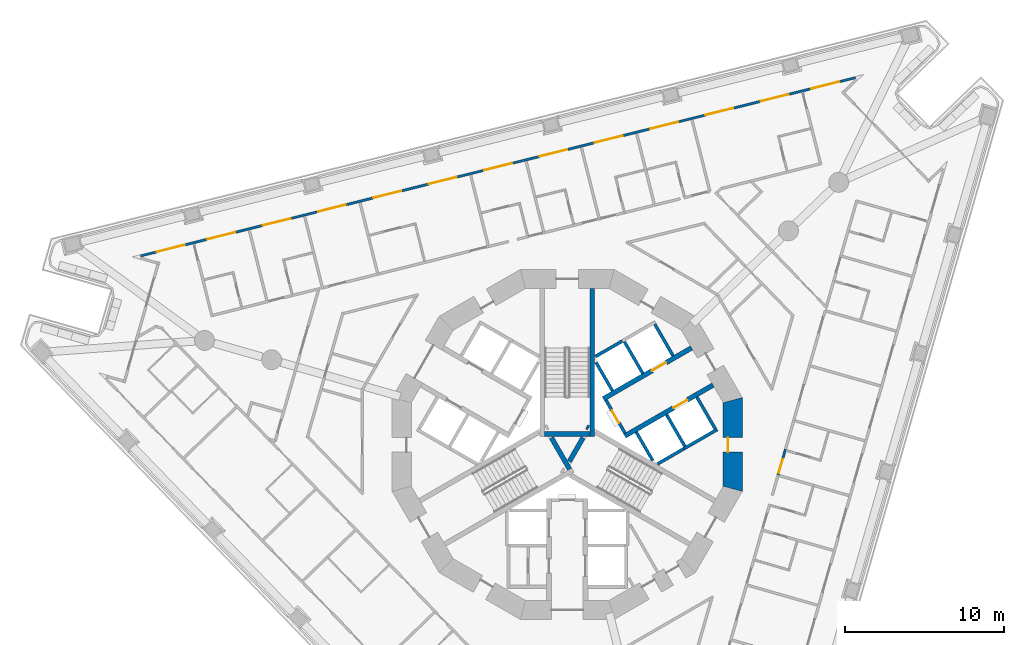
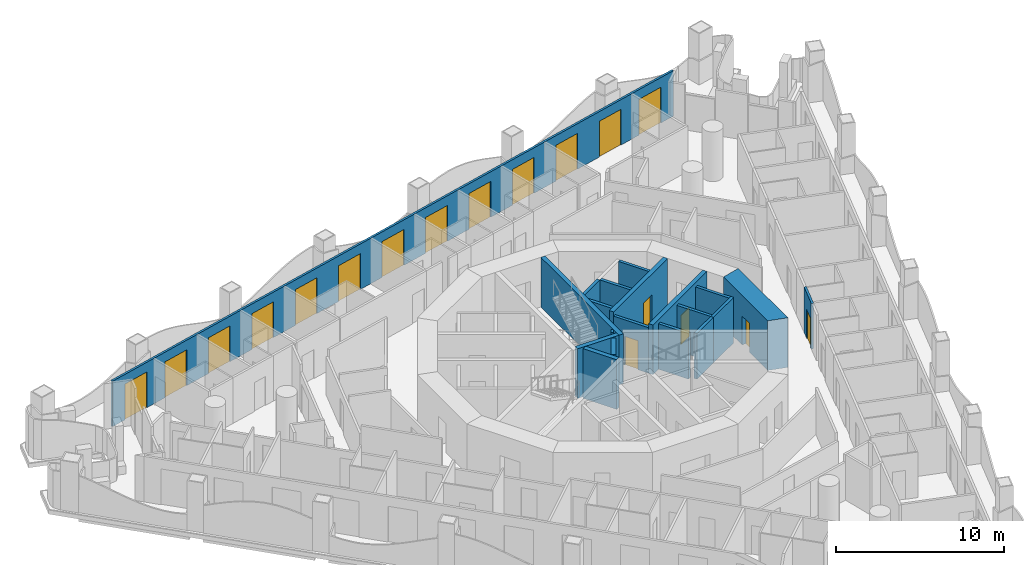
# One storey, part 9 of 20: 20 walls, 18 doors, 18 openings.
"""IFC4 building model written with IfcOpenShell, lengths in metres."""

from ifc_helpers import new_model, si_unit, direction, frame, frame_2d, origin, place, context, subcontext, project, spatial, polyline, rectangle, outline, extrude, material, layer, layer_set, type_object, element, fill, save


model = new_model("IFC4")

# Units and contexts
model_context = context("Model", 3, precision=1e-05, world=origin(), true_north=direction((0.0, 1.0)))
body_context = subcontext(model_context, "Body", "Model", "MODEL_VIEW")
ifc_project = project(units=[si_unit("LENGTHUNIT", "METRE"), si_unit("AREAUNIT", "SQUARE_METRE"), si_unit("VOLUMEUNIT", "CUBIC_METRE"), si_unit("PLANEANGLEUNIT", "RADIAN"), si_unit("MASSUNIT", "GRAM", prefix="KILO")], contexts=[model_context])

# Site, building, storey
site_placement = place(None, origin())
site = spatial("IfcSite", under=ifc_project, at=site_placement, CompositionType="ELEMENT")
building_placement = place(site_placement, origin())
building = spatial("IfcBuilding", under=site, at=building_placement, Name="Trine Commons Tower", CompositionType="ELEMENT")
storey_placement = place(building_placement, frame((0.0, 0.0, 101.699951171875)))
storey = spatial("IfcBuildingStorey", under=building, at=storey_placement, Name="L25", CompositionType="ELEMENT", Elevation=101.699951171875)

# Wall, openings, doors
ifc_material_1 = material(Name="Aluminium-framed insulated wall panel", Category="aluminium")
ifc_layer_1 = layer(ifc_material_1, 0.14990234375)
ifc_layer_set_1 = layer_set([ifc_layer_1], Name="Aluminium-framed insulated wall panel")
wall_type_1 = type_object("IfcWallType", Name="Glazed frame wall 150, EI 60", PredefinedType="SOLIDWALL", material=ifc_layer_set_1)
wall_1_placement = place(storey_placement, frame((53.01416015625, 74.326904296875, 0.0), z_axis=(0.0, 0.0, 1.0), x_axis=(0.970295935704, 0.24192105563, 0.0)))
wall_1 = element("IfcWall", 1, at=wall_1_placement, inside=storey, type_object=wall_type_1, Name="Glazed frame wall F1", PredefinedType="SOLIDWALL", context=body_context, shape_type="SweptSolid", body=[
    extrude(outline(polyline([(0.1494140625, 0.074951171875), (0.1494140625, -0.074951171875), (46.496826171875, -0.074951171875), (46.496826171875, 0.074951171875), (0.1494140625, 0.074951171875)])), origin(), (0.0, 0.0, 1.0), 3.300048828125),
])
opening_1_placement = place(wall_1_placement, frame((1.194091796875, 0.0, 0.0)))
opening_1 = element("IfcOpeningElement", 2, at=opening_1_placement, cuts=wall_1, Name="Opening BD-3F1-01", PredefinedType="OPENING", context=body_context, shape_type="SweptSolid", body=[
    extrude(rectangle(XDim=1.800048828125, YDim=2.60009765625, at=frame_2d((0.89990234375, 1.300048828125))), frame((0.0, 0.0849609375, 0.0), z_axis=(0.0, -1.0, 0.0), x_axis=(1.0, 0.0, 0.0)), (0.0, 0.0, 1.0), 0.169921875),
])
opening_2_placement = place(wall_1_placement, frame((4.482421875, 0.0, 0.0)))
opening_2 = element("IfcOpeningElement", 3, at=opening_2_placement, cuts=wall_1, Name="Opening BD-3F1-02", PredefinedType="OPENING", context=body_context, shape_type="SweptSolid", body=[
    extrude(rectangle(XDim=1.800048828125, YDim=2.60009765625, at=frame_2d((0.89990234375, 1.300048828125))), frame((0.0, 0.0849609375, 0.0), z_axis=(0.0, -1.0, 0.0), x_axis=(1.0, 0.0, 0.0)), (0.0, 0.0, 1.0), 0.169921875),
])
opening_3_placement = place(wall_1_placement, frame((8.070556640625, 0.0, 0.0)))
opening_3 = element("IfcOpeningElement", 4, at=opening_3_placement, cuts=wall_1, Name="Opening BD-3F1-03", PredefinedType="OPENING", context=body_context, shape_type="SweptSolid", body=[
    extrude(rectangle(XDim=1.800048828125, YDim=2.60009765625, at=frame_2d((0.89990234375, 1.300048828125))), frame((0.0, 0.0849609375, 0.0), z_axis=(0.0, -1.0, 0.0), x_axis=(1.0, 0.0, 0.0)), (0.0, 0.0, 1.0), 0.169921875),
])
opening_4_placement = place(wall_1_placement, frame((11.65869140625, 0.0, 0.0)))
opening_4 = element("IfcOpeningElement", 5, at=opening_4_placement, cuts=wall_1, Name="Opening BD-3F1-04", PredefinedType="OPENING", context=body_context, shape_type="SweptSolid", body=[
    extrude(rectangle(XDim=1.800048828125, YDim=2.60009765625, at=frame_2d((0.89990234375, 1.300048828125))), frame((0.0, 0.0849609375, 0.0), z_axis=(0.0, -1.0, 0.0), x_axis=(1.0, 0.0, 0.0)), (0.0, 0.0, 1.0), 0.169921875),
])
opening_5_placement = place(wall_1_placement, frame((15.246826171875, 0.0, 0.0)))
opening_5 = element("IfcOpeningElement", 6, at=opening_5_placement, cuts=wall_1, Name="Opening BD-3F1-05", PredefinedType="OPENING", context=body_context, shape_type="SweptSolid", body=[
    extrude(rectangle(XDim=1.800048828125, YDim=2.60009765625, at=frame_2d((0.89990234375, 1.300048828125))), frame((0.0, 0.0849609375, 0.0), z_axis=(0.0, -1.0, 0.0), x_axis=(1.0, 0.0, 0.0)), (0.0, 0.0, 1.0), 0.169921875),
])
opening_6_placement = place(wall_1_placement, frame((18.835205078125, 0.0, 0.0)))
opening_6 = element("IfcOpeningElement", 7, at=opening_6_placement, cuts=wall_1, Name="Opening BD-3F1-06", PredefinedType="OPENING", context=body_context, shape_type="SweptSolid", body=[
    extrude(rectangle(XDim=1.800048828125, YDim=2.60009765625, at=frame_2d((0.89990234375, 1.300048828125))), frame((0.0, 0.0849609375, 0.0), z_axis=(0.0, -1.0, 0.0), x_axis=(1.0, 0.0, 0.0)), (0.0, 0.0, 1.0), 0.169921875),
])
opening_7_placement = place(wall_1_placement, frame((22.42333984375, 0.0, 0.0)))
opening_7 = element("IfcOpeningElement", 8, at=opening_7_placement, cuts=wall_1, Name="Opening BD-3F1-07", PredefinedType="OPENING", context=body_context, shape_type="SweptSolid", body=[
    extrude(rectangle(XDim=1.800048828125, YDim=2.60009765625, at=frame_2d((0.89990234375, 1.300048828125))), frame((0.0, 0.0849609375, 0.0), z_axis=(0.0, -1.0, 0.0), x_axis=(1.0, 0.0, 0.0)), (0.0, 0.0, 1.0), 0.169921875),
])
opening_8_placement = place(wall_1_placement, frame((26.011474609375, 0.0, 0.0)))
opening_8 = element("IfcOpeningElement", 9, at=opening_8_placement, cuts=wall_1, Name="Opening BD-3F1-08", PredefinedType="OPENING", context=body_context, shape_type="SweptSolid", body=[
    extrude(rectangle(XDim=1.800048828125, YDim=2.60009765625, at=frame_2d((0.89990234375, 1.300048828125))), frame((0.0, 0.0849609375, 0.0), z_axis=(0.0, -1.0, 0.0), x_axis=(1.0, 0.0, 0.0)), (0.0, 0.0, 1.0), 0.169921875),
])
opening_9_placement = place(wall_1_placement, frame((29.599609375, 0.0, 0.0)))
opening_9 = element("IfcOpeningElement", 10, at=opening_9_placement, cuts=wall_1, Name="Opening BD-3F1-09", PredefinedType="OPENING", context=body_context, shape_type="SweptSolid", body=[
    extrude(rectangle(XDim=1.800048828125, YDim=2.60009765625, at=frame_2d((0.89990234375, 1.300048828125))), frame((0.0, 0.0849609375, 0.0), z_axis=(0.0, -1.0, 0.0), x_axis=(1.0, 0.0, 0.0)), (0.0, 0.0, 1.0), 0.169921875),
])
opening_10_placement = place(wall_1_placement, frame((33.18798828125, 0.0, 0.0)))
opening_10 = element("IfcOpeningElement", 11, at=opening_10_placement, cuts=wall_1, Name="Opening BD-3F1-10", PredefinedType="OPENING", context=body_context, shape_type="SweptSolid", body=[
    extrude(rectangle(XDim=1.800048828125, YDim=2.60009765625, at=frame_2d((0.89990234375, 1.300048828125))), frame((0.0, 0.0849609375, 0.0), z_axis=(0.0, -1.0, 0.0), x_axis=(1.0, 0.0, 0.0)), (0.0, 0.0, 1.0), 0.169921875),
])
opening_11_placement = place(wall_1_placement, frame((36.776123046875, 0.0, 0.0)))
opening_11 = element("IfcOpeningElement", 12, at=opening_11_placement, cuts=wall_1, Name="Opening BD-3F1-11", PredefinedType="OPENING", context=body_context, shape_type="SweptSolid", body=[
    extrude(rectangle(XDim=1.800048828125, YDim=2.60009765625, at=frame_2d((0.89990234375, 1.300048828125))), frame((0.0, 0.0849609375, 0.0), z_axis=(0.0, -1.0, 0.0), x_axis=(1.0, 0.0, 0.0)), (0.0, 0.0, 1.0), 0.169921875),
])
opening_12_placement = place(wall_1_placement, frame((40.3642578125, 0.0, 0.0)))
opening_12 = element("IfcOpeningElement", 13, at=opening_12_placement, cuts=wall_1, Name="Opening BD-3F1-12", PredefinedType="OPENING", context=body_context, shape_type="SweptSolid", body=[
    extrude(rectangle(XDim=1.800048828125, YDim=2.60009765625, at=frame_2d((0.89990234375, 1.300048828125))), frame((0.0, 0.0849609375, 0.0), z_axis=(0.0, -1.0, 0.0), x_axis=(1.0, 0.0, 0.0)), (0.0, 0.0, 1.0), 0.169921875),
])
opening_13_placement = place(wall_1_placement, frame((43.652587890625, 0.0, 0.0)))
opening_13 = element("IfcOpeningElement", 14, at=opening_13_placement, cuts=wall_1, Name="Opening BD-3F1-13", PredefinedType="OPENING", context=body_context, shape_type="SweptSolid", body=[
    extrude(rectangle(XDim=1.800048828125, YDim=2.60009765625, at=frame_2d((0.89990234375, 1.300048828125))), frame((0.0, 0.0849609375, 0.0), z_axis=(0.0, -1.0, 0.0), x_axis=(1.0, 0.0, 0.0)), (0.0, 0.0, 1.0), 0.169921875),
])
ifc_material_2 = material(Name="Anodised aluminium frame with double glazing", Category="aluminium")
door_type_1 = type_object("IfcDoorType", Name="Sliding loggia door 1800x2600", OperationType="SLIDING_TO_LEFT", PredefinedType="DOOR", material=ifc_material_2)
door_1_placement = place(opening_1_placement, origin())
door_1 = element("IfcDoor", 15, at=door_1_placement, inside=storey, type_object=door_type_1, Name="Loggia door F1 1", OperationType="SLIDING_TO_LEFT", OverallHeight=2.60009765625, OverallWidth=1.800048828125, PredefinedType="DOOR", context=body_context, shape_type="SweptSolid", body=[
    extrude(rectangle(XDim=1.800048828125, YDim=2.60009765625, at=frame_2d((0.89990234375, 1.300048828125))), frame((0.0, 0.02490234375, 0.0), z_axis=(0.0, -1.0, 0.0), x_axis=(1.0, 0.0, 0.0)), (0.0, 0.0, 1.0), 0.050048828125),
])
fill(opening_1, door_1)
door_2_placement = place(opening_2_placement, origin())
door_2 = element("IfcDoor", 16, at=door_2_placement, inside=storey, type_object=door_type_1, Name="Loggia door F1 2", OperationType="SLIDING_TO_LEFT", OverallHeight=2.60009765625, OverallWidth=1.800048828125, PredefinedType="DOOR", context=body_context, shape_type="SweptSolid", body=[
    extrude(rectangle(XDim=1.800048828125, YDim=2.60009765625, at=frame_2d((0.89990234375, 1.300048828125))), frame((0.0, 0.02490234375, 0.0), z_axis=(0.0, -1.0, 0.0), x_axis=(1.0, 0.0, 0.0)), (0.0, 0.0, 1.0), 0.050048828125),
])
fill(opening_2, door_2)
door_3_placement = place(opening_3_placement, origin())
door_3 = element("IfcDoor", 17, at=door_3_placement, inside=storey, type_object=door_type_1, Name="Loggia door F1 3", OperationType="SLIDING_TO_LEFT", OverallHeight=2.60009765625, OverallWidth=1.800048828125, PredefinedType="DOOR", context=body_context, shape_type="SweptSolid", body=[
    extrude(rectangle(XDim=1.800048828125, YDim=2.60009765625, at=frame_2d((0.89990234375, 1.300048828125))), frame((0.0, 0.02490234375, 0.0), z_axis=(0.0, -1.0, 0.0), x_axis=(1.0, 0.0, 0.0)), (0.0, 0.0, 1.0), 0.050048828125),
])
fill(opening_3, door_3)
door_4_placement = place(opening_4_placement, origin())
door_4 = element("IfcDoor", 18, at=door_4_placement, inside=storey, type_object=door_type_1, Name="Loggia door F1 4", OperationType="SLIDING_TO_LEFT", OverallHeight=2.60009765625, OverallWidth=1.800048828125, PredefinedType="DOOR", context=body_context, shape_type="SweptSolid", body=[
    extrude(rectangle(XDim=1.800048828125, YDim=2.60009765625, at=frame_2d((0.89990234375, 1.300048828125))), frame((0.0, 0.02490234375, 0.0), z_axis=(0.0, -1.0, 0.0), x_axis=(1.0, 0.0, 0.0)), (0.0, 0.0, 1.0), 0.050048828125),
])
fill(opening_4, door_4)
door_5_placement = place(opening_5_placement, origin())
door_5 = element("IfcDoor", 19, at=door_5_placement, inside=storey, type_object=door_type_1, Name="Loggia door F1 5", OperationType="SLIDING_TO_LEFT", OverallHeight=2.60009765625, OverallWidth=1.800048828125, PredefinedType="DOOR", context=body_context, shape_type="SweptSolid", body=[
    extrude(rectangle(XDim=1.800048828125, YDim=2.60009765625, at=frame_2d((0.89990234375, 1.300048828125))), frame((0.0, 0.02490234375, 0.0), z_axis=(0.0, -1.0, 0.0), x_axis=(1.0, 0.0, 0.0)), (0.0, 0.0, 1.0), 0.050048828125),
])
fill(opening_5, door_5)
door_6_placement = place(opening_6_placement, origin())
door_6 = element("IfcDoor", 20, at=door_6_placement, inside=storey, type_object=door_type_1, Name="Loggia door F1 6", OperationType="SLIDING_TO_LEFT", OverallHeight=2.60009765625, OverallWidth=1.800048828125, PredefinedType="DOOR", context=body_context, shape_type="SweptSolid", body=[
    extrude(rectangle(XDim=1.800048828125, YDim=2.60009765625, at=frame_2d((0.89990234375, 1.300048828125))), frame((0.0, 0.02490234375, 0.0), z_axis=(0.0, -1.0, 0.0), x_axis=(1.0, 0.0, 0.0)), (0.0, 0.0, 1.0), 0.050048828125),
])
fill(opening_6, door_6)
door_7_placement = place(opening_7_placement, origin())
door_7 = element("IfcDoor", 21, at=door_7_placement, inside=storey, type_object=door_type_1, Name="Loggia door F1 7", OperationType="SLIDING_TO_LEFT", OverallHeight=2.60009765625, OverallWidth=1.800048828125, PredefinedType="DOOR", context=body_context, shape_type="SweptSolid", body=[
    extrude(rectangle(XDim=1.800048828125, YDim=2.60009765625, at=frame_2d((0.89990234375, 1.300048828125))), frame((0.0, 0.02490234375, 0.0), z_axis=(0.0, -1.0, 0.0), x_axis=(1.0, 0.0, 0.0)), (0.0, 0.0, 1.0), 0.050048828125),
])
fill(opening_7, door_7)
door_8_placement = place(opening_8_placement, origin())
door_8 = element("IfcDoor", 22, at=door_8_placement, inside=storey, type_object=door_type_1, Name="Loggia door F1 8", OperationType="SLIDING_TO_LEFT", OverallHeight=2.60009765625, OverallWidth=1.800048828125, PredefinedType="DOOR", context=body_context, shape_type="SweptSolid", body=[
    extrude(rectangle(XDim=1.800048828125, YDim=2.60009765625, at=frame_2d((0.89990234375, 1.300048828125))), frame((0.0, 0.02490234375, 0.0), z_axis=(0.0, -1.0, 0.0), x_axis=(1.0, 0.0, 0.0)), (0.0, 0.0, 1.0), 0.050048828125),
])
fill(opening_8, door_8)
door_9_placement = place(opening_9_placement, origin())
door_9 = element("IfcDoor", 23, at=door_9_placement, inside=storey, type_object=door_type_1, Name="Loggia door F1 9", OperationType="SLIDING_TO_LEFT", OverallHeight=2.60009765625, OverallWidth=1.800048828125, PredefinedType="DOOR", context=body_context, shape_type="SweptSolid", body=[
    extrude(rectangle(XDim=1.800048828125, YDim=2.60009765625, at=frame_2d((0.89990234375, 1.300048828125))), frame((0.0, 0.02490234375, 0.0), z_axis=(0.0, -1.0, 0.0), x_axis=(1.0, 0.0, 0.0)), (0.0, 0.0, 1.0), 0.050048828125),
])
fill(opening_9, door_9)
door_10_placement = place(opening_10_placement, origin())
door_10 = element("IfcDoor", 24, at=door_10_placement, inside=storey, type_object=door_type_1, Name="Loggia door F1 10", OperationType="SLIDING_TO_LEFT", OverallHeight=2.60009765625, OverallWidth=1.800048828125, PredefinedType="DOOR", context=body_context, shape_type="SweptSolid", body=[
    extrude(rectangle(XDim=1.800048828125, YDim=2.60009765625, at=frame_2d((0.89990234375, 1.300048828125))), frame((0.0, 0.02490234375, 0.0), z_axis=(0.0, -1.0, 0.0), x_axis=(1.0, 0.0, 0.0)), (0.0, 0.0, 1.0), 0.050048828125),
])
fill(opening_10, door_10)
door_11_placement = place(opening_11_placement, origin())
door_11 = element("IfcDoor", 25, at=door_11_placement, inside=storey, type_object=door_type_1, Name="Loggia door F1 11", OperationType="SLIDING_TO_LEFT", OverallHeight=2.60009765625, OverallWidth=1.800048828125, PredefinedType="DOOR", context=body_context, shape_type="SweptSolid", body=[
    extrude(rectangle(XDim=1.800048828125, YDim=2.60009765625, at=frame_2d((0.89990234375, 1.300048828125))), frame((0.0, 0.02490234375, 0.0), z_axis=(0.0, -1.0, 0.0), x_axis=(1.0, 0.0, 0.0)), (0.0, 0.0, 1.0), 0.050048828125),
])
fill(opening_11, door_11)
door_12_placement = place(opening_12_placement, origin())
door_12 = element("IfcDoor", 26, at=door_12_placement, inside=storey, type_object=door_type_1, Name="Loggia door F1 12", OperationType="SLIDING_TO_LEFT", OverallHeight=2.60009765625, OverallWidth=1.800048828125, PredefinedType="DOOR", context=body_context, shape_type="SweptSolid", body=[
    extrude(rectangle(XDim=1.800048828125, YDim=2.60009765625, at=frame_2d((0.89990234375, 1.300048828125))), frame((0.0, 0.02490234375, 0.0), z_axis=(0.0, -1.0, 0.0), x_axis=(1.0, 0.0, 0.0)), (0.0, 0.0, 1.0), 0.050048828125),
])
fill(opening_12, door_12)
door_13_placement = place(opening_13_placement, origin())
door_13 = element("IfcDoor", 27, at=door_13_placement, inside=storey, type_object=door_type_1, Name="Loggia door F1 13", OperationType="SLIDING_TO_LEFT", OverallHeight=2.60009765625, OverallWidth=1.800048828125, PredefinedType="DOOR", context=body_context, shape_type="SweptSolid", body=[
    extrude(rectangle(XDim=1.800048828125, YDim=2.60009765625, at=frame_2d((0.89990234375, 1.300048828125))), frame((0.0, 0.02490234375, 0.0), z_axis=(0.0, -1.0, 0.0), x_axis=(1.0, 0.0, 0.0)), (0.0, 0.0, 1.0), 0.050048828125),
])
fill(opening_13, door_13)

# Wall, opening, door
ifc_material_3 = material(Name="Fire-rated gypsum shaft wall system")
ifc_layer_2 = layer(ifc_material_3, 0.199951171875)
ifc_layer_set_2 = layer_set([ifc_layer_2], Name="Fire-rated gypsum shaft wall system")
wall_type_2 = type_object("IfcWallType", Name="Lobby end wall 200 mm, EI 120", PredefinedType="PARTITIONING", material=ifc_layer_set_2)
wall_2_placement = place(storey_placement, frame((83.631103515625, 63.2109375, 0.0), z_axis=(0.0, 0.0, 1.0), x_axis=(-0.50012165622, 0.865955154139, 0.0)))
wall_2 = element("IfcWall", 28, at=wall_2_placement, inside=storey, type_object=wall_type_2, Name="Lobby end wall L25", PredefinedType="PARTITIONING", context=body_context, shape_type="SweptSolid", body=[
    extrude(rectangle(XDim=2.39990234375, YDim=0.199951171875, at=frame_2d((1.199951171875, 0.0))), origin(), (0.0, 0.0, 1.0), 3.300048828125),
])
opening_14_placement = place(wall_2_placement, frame((0.749755859375, 0.0, 0.0)))
opening_14 = element("IfcOpeningElement", 29, at=opening_14_placement, cuts=wall_2, Name="Opening K04.05", PredefinedType="OPENING", context=body_context, shape_type="SweptSolid", body=[
    extrude(rectangle(XDim=0.89990234375, YDim=2.10009765625, at=frame_2d((0.449951171875, 1.050048828125))), frame((0.0, 0.10986328125, 0.0), z_axis=(0.0, -1.0, 0.0), x_axis=(1.0, 0.0, 0.0)), (0.0, 0.0, 1.0), 0.219970703125),
])
ifc_material_4 = material(Name="Steel door leaf, fire-rated", Category="steel")
door_type_2 = type_object("IfcDoorType", Name="Riser access door, single leaf 900 x 2100, FD60", OperationType="SINGLE_SWING_LEFT", PredefinedType="DOOR", material=ifc_material_4)
door_14_placement = place(opening_14_placement, frame((0.89990234375, 0.0, 0.0), z_axis=(0.0, 0.0, 1.0), x_axis=(-1.0, 0.0, 0.0)))
door_14 = element("IfcDoor", 30, at=door_14_placement, inside=storey, type_object=door_type_2, Name="Riser door, Electrical riser L25", OperationType="SINGLE_SWING_LEFT", OverallHeight=2.10009765625, OverallWidth=0.89990234375, PredefinedType="DOOR", context=body_context, shape_type="SweptSolid", body=[
    extrude(rectangle(XDim=0.89990234375, YDim=2.10009765625, at=frame_2d((0.449951171875, 1.050048828125))), frame((0.0, 0.02490234375, 0.0), z_axis=(0.0, -1.0, 0.0), x_axis=(1.0, 0.0, 0.0)), (0.0, 0.0, 1.0), 0.050048828125),
])
fill(opening_14, door_14)

ifc_material_5 = material(Name="Concrete C70/85", Category="concrete")
ifc_layer_3 = layer(ifc_material_5, 1.199951171875)
ifc_layer_set_3 = layer_set([ifc_layer_3], Name="Concrete C70/85")
wall_type_3 = type_object("IfcWallType", Name="RC shear wall 1200 mm, C70/85", PredefinedType="SHEAR", material=ifc_layer_set_3)
wall_3_placement = place(storey_placement, frame((90.41162109375, 59.549560546875, 0.0), z_axis=(0.0, 0.0, 1.0), x_axis=(0.0, 1.0, 0.0)))
wall_3 = element("IfcWall", 31, at=wall_3_placement, inside=storey, type_object=wall_type_3, Name="Core wall CWC-01 L25", PredefinedType="SHEAR", context=body_context, shape_type="SweptSolid", body=[
    extrude(outline(polyline([(0.0, -0.60009765625), (5.90087890625, -0.60009765625), (5.57958984375, 0.60009765625), (0.321533203125, 0.60009765625), (0.0, -0.60009765625)])), origin(), (0.0, 0.0, 1.0), 3.60009765625),
])
opening_15_placement = place(wall_3_placement, frame((2.4755859375, 0.0, 0.0)))
opening_15 = element("IfcOpeningElement", 32, at=opening_15_placement, cuts=wall_3, Name="Opening K04.18", PredefinedType="OPENING", context=body_context, shape_type="SweptSolid", body=[
    extrude(rectangle(XDim=0.89990234375, YDim=2.10009765625, at=frame_2d((0.449951171875, 1.050048828125))), frame((0.0, 0.60986328125, 0.0), z_axis=(0.0, -1.0, 0.0), x_axis=(1.0, 0.0, 0.0)), (0.0, 0.0, 1.0), 1.219970703125),
])
door_type_3 = type_object("IfcDoorType", Name="Core room door, single leaf 900 x 2100, FD30S", OperationType="SINGLE_SWING_LEFT", PredefinedType="DOOR", material=ifc_material_4)
door_15_placement = place(opening_15_placement, origin())
door_15 = element("IfcDoor", 33, at=door_15_placement, inside=storey, type_object=door_type_3, Name="Door to Parcel store L25", OperationType="SINGLE_SWING_LEFT", OverallHeight=2.10009765625, OverallWidth=0.89990234375, PredefinedType="DOOR", context=body_context, shape_type="SweptSolid", body=[
    extrude(rectangle(XDim=0.89990234375, YDim=2.10009765625, at=frame_2d((0.449951171875, 1.050048828125))), frame((0.0, 0.3251953125, 0.0), z_axis=(0.0, -1.0, 0.0), x_axis=(1.0, 0.0, 0.0)), (0.0, 0.0, 1.0), 0.050048828125),
])
fill(opening_15, door_15)

ifc_layer_4 = layer(ifc_material_5, 0.300048828125)
ifc_layer_set_4 = layer_set([ifc_layer_4], Name="Concrete C70/85")
wall_type_4 = type_object("IfcWallType", Name="RC shear wall 300 mm, C70/85", PredefinedType="SHEAR", material=ifc_layer_set_4)
wall_4_placement = place(storey_placement, frame((82.26904296875, 65.368896484375, 0.0), z_axis=(0.0, 0.0, 1.0), x_axis=(0.866022631842, 0.500004801114, 0.0)))
wall_4 = element("IfcWall", 34, at=wall_4_placement, inside=storey, type_object=wall_type_4, Name="Core cross wall SWA-05 L25", PredefinedType="SHEAR", context=body_context, shape_type="SweptSolid", body=[
    extrude(rectangle(XDim=6.412109375, YDim=0.300048828125, at=frame_2d((3.2060546875, 0.0))), origin(), (0.0, 0.0, 1.0), 3.60009765625),
])
opening_16_placement = place(wall_4_placement, frame((3.55029296875, 0.0, 0.0)))
opening_16 = element("IfcOpeningElement", 35, at=opening_16_placement, cuts=wall_4, Name="Opening LD1", PredefinedType="OPENING", context=body_context, shape_type="SweptSolid", body=[
    extrude(rectangle(XDim=1.0, YDim=2.10009765625, at=frame_2d((0.5, 1.050048828125))), frame((0.0, 0.159912109375, 0.0), z_axis=(0.0, -1.0, 0.0), x_axis=(1.0, 0.0, 0.0)), (0.0, 0.0, 1.0), 0.320068359375),
])
ifc_material_6 = material(Name="Stainless steel sliding door leaves", Category="steel")
door_type_4 = type_object("IfcDoorType", Name="Lift landing door, centre-opening sliding 1000 x 2100, FD90", OperationType="DOUBLE_DOOR_SLIDING", PredefinedType="DOOR", material=ifc_material_6)
door_16_placement = place(opening_16_placement, origin())
door_16 = element("IfcDoor", 36, at=door_16_placement, inside=storey, type_object=door_type_4, Name="Lift landing door LR1 L25", OperationType="DOUBLE_DOOR_SLIDING", OverallHeight=2.10009765625, OverallWidth=1.0, PredefinedType="DOOR", context=body_context, shape_type="SweptSolid", body=[
    extrude(rectangle(XDim=1.0, YDim=2.10009765625, at=frame_2d((0.5, 1.050048828125))), frame((0.0, 0.02490234375, 0.0), z_axis=(0.0, -1.0, 0.0), x_axis=(1.0, 0.0, 0.0)), (0.0, 0.0, 1.0), 0.050048828125),
])
fill(opening_16, door_16)

wall_5_placement = place(storey_placement, frame((83.618896484375, 63.031005859375, 0.0), z_axis=(0.0, 0.0, 1.0), x_axis=(0.866032150378, 0.499988314375, 0.0)))
wall_5 = element("IfcWall", 37, at=wall_5_placement, inside=storey, type_object=wall_type_4, Name="Core cross wall SWA-06 L25", PredefinedType="SHEAR", context=body_context, shape_type="SweptSolid", body=[
    extrude(rectangle(XDim=6.412353515625, YDim=0.300048828125, at=frame_2d((3.2060546875, 0.0))), origin(), (0.0, 0.0, 1.0), 3.60009765625),
])
opening_17_placement = place(wall_5_placement, frame((3.55029296875, 0.0, 0.0)))
opening_17 = element("IfcOpeningElement", 38, at=opening_17_placement, cuts=wall_5, Name="Opening LD2", PredefinedType="OPENING", context=body_context, shape_type="SweptSolid", body=[
    extrude(rectangle(XDim=1.0, YDim=2.10009765625, at=frame_2d((0.5, 1.050048828125))), frame((0.0, 0.159912109375, 0.0), z_axis=(0.0, -1.0, 0.0), x_axis=(1.0, 0.0, 0.0)), (0.0, 0.0, 1.0), 0.320068359375),
])
door_17_placement = place(opening_17_placement, origin())
door_17 = element("IfcDoor", 39, at=door_17_placement, inside=storey, type_object=door_type_4, Name="Lift landing door LR2 L25", OperationType="DOUBLE_DOOR_SLIDING", OverallHeight=2.10009765625, OverallWidth=1.0, PredefinedType="DOOR", context=body_context, shape_type="SweptSolid", body=[
    extrude(rectangle(XDim=1.0, YDim=2.10009765625, at=frame_2d((0.5, 1.050048828125))), frame((0.0, 0.02490234375, 0.0), z_axis=(0.0, -1.0, 0.0), x_axis=(1.0, 0.0, 0.0)), (0.0, 0.0, 1.0), 0.050048828125),
])
fill(opening_17, door_17)

# Walls
wall_6_placement = place(storey_placement, frame((79.0029296875, 62.926025390625, 0.0), z_axis=(0.0, 0.0, 1.0), x_axis=(0.499965247104, -0.866045467449, 0.0)))
element("IfcWall", 40, at=wall_6_placement, inside=storey, type_object=wall_type_4, Name="Core cross wall SWA-10 L25", PredefinedType="SHEAR", context=body_context, shape_type="SweptSolid", body=[
    extrude(rectangle(XDim=2.292236328125, YDim=0.300048828125, at=frame_2d((1.14599609375, 0.0))), origin(), (0.0, 0.0, 1.0), 3.60009765625),
])
wall_7_placement = place(storey_placement, frame((80.1298828125, 61.424072265625, 0.0), z_axis=(0.0, 0.0, 1.0), x_axis=(0.500014901547, 0.866016800201, 0.0)))
element("IfcWall", 41, at=wall_7_placement, inside=storey, type_object=wall_type_4, Name="Core cross wall SWA-12 L25", PredefinedType="SHEAR", context=body_context, shape_type="SweptSolid", body=[
    extrude(rectangle(XDim=1.734375, YDim=0.300048828125, at=frame_2d((0.8671875, 0.0))), origin(), (0.0, 0.0, 1.0), 3.60009765625),
])
wall_8_placement = place(storey_placement, frame((81.220947265625, 63.614013671875, 0.0), z_axis=(0.0, 0.0, 1.0), x_axis=(0.867737973955, -0.497021939713, 0.0)))
element("IfcWall", 42, at=wall_8_placement, inside=storey, type_object=wall_type_4, Name="Core cross wall SWA-15 L25", PredefinedType="SHEAR", context=body_context, shape_type="SweptSolid", body=[
    extrude(rectangle(XDim=0.14892578125, YDim=0.300048828125, at=frame_2d((0.074462890625, 0.0))), origin(), (0.0, 0.0, 1.0), 3.60009765625),
])
wall_9_placement = place(storey_placement, frame((81.425048828125, 63.15087890625, 0.0), z_axis=(0.0, 0.0, 1.0), x_axis=(-1.0, 0.0, 0.0)))
element("IfcWall", 43, at=wall_9_placement, inside=storey, type_object=wall_type_4, Name="Core cross wall SWA-16 L25", PredefinedType="SHEAR", context=body_context, shape_type="SweptSolid", body=[
    extrude(rectangle(XDim=2.85009765625, YDim=0.300048828125, at=frame_2d((1.425048828125, 0.0))), origin(), (0.0, 0.0, 1.0), 3.60009765625),
])
wall_10_placement = place(storey_placement, frame((81.574951171875, 63.0009765625, 0.0), z_axis=(0.0, 0.0, 1.0), x_axis=(0.0, 1.0, 0.0)))
element("IfcWall", 44, at=wall_10_placement, inside=storey, type_object=wall_type_4, Name="Core cross wall SWA-17 L25", PredefinedType="SHEAR", context=body_context, shape_type="SweptSolid", body=[
    extrude(rectangle(XDim=9.31103515625, YDim=0.300048828125, at=frame_2d((4.655517578125, 0.0))), origin(), (0.0, 0.0, 1.0), 3.60009765625),
])
ifc_layer_5 = layer(ifc_material_3, 0.199951171875)
ifc_layer_set_5 = layer_set([ifc_layer_5], Name="Fire-rated gypsum shaft wall system")
wall_type_5 = type_object("IfcWallType", Name="Shaft wall 200 mm, EI 120", PredefinedType="PARTITIONING", material=ifc_layer_set_5)
wall_11_placement = place(storey_placement, frame((81.77490234375, 68.028076171875, 0.0), z_axis=(0.0, 0.0, 1.0), x_axis=(0.866052014814, 0.499953905513, 0.0)))
element("IfcWall", 45, at=wall_11_placement, inside=storey, type_object=wall_type_5, Name="Shaft wall L25", PredefinedType="PARTITIONING", context=body_context, shape_type="SweptSolid", body=[
    extrude(rectangle(XDim=1.947998046875, YDim=0.199951171875, at=frame_2d((0.97412109375, 0.0))), origin(), (0.0, 0.0, 1.0), 3.300048828125),
])
wall_12_placement = place(storey_placement, frame((82.843994140625, 65.8740234375, 0.0), z_axis=(0.0, 0.0, 1.0), x_axis=(-0.499865770674, 0.866102887253, 0.0)))
element("IfcWall", 46, at=wall_12_placement, inside=storey, type_object=wall_type_5, Name="Shaft wall L25", PredefinedType="PARTITIONING", context=body_context, shape_type="SweptSolid", body=[
    extrude(rectangle(XDim=2.064453125, YDim=0.199951171875, at=frame_2d((1.0322265625, 0.0))), origin(), (0.0, 0.0, 1.0), 3.300048828125),
])
wall_13_placement = place(storey_placement, frame((84.343994140625, 63.27587890625, 0.0), z_axis=(0.0, 0.0, 1.0), x_axis=(0.500271688072, -0.86586848777, 0.0)))
element("IfcWall", 47, at=wall_13_placement, inside=storey, type_object=wall_type_5, Name="Shaft wall L25", PredefinedType="PARTITIONING", context=body_context, shape_type="SweptSolid", body=[
    extrude(rectangle(XDim=2.064697265625, YDim=0.199951171875, at=frame_2d((1.0322265625, 0.0))), origin(), (0.0, 0.0, 1.0), 3.300048828125),
])
wall_14_placement = place(storey_placement, frame((84.7490234375, 66.97412109375, 0.0), z_axis=(0.0, 0.0, 1.0), x_axis=(-0.500136062276, 0.86594683394, 0.0)))
element("IfcWall", 48, at=wall_14_placement, inside=storey, type_object=wall_type_5, Name="Shaft wall L25", PredefinedType="PARTITIONING", context=body_context, shape_type="SweptSolid", body=[
    extrude(rectangle(XDim=2.299072265625, YDim=0.199951171875, at=frame_2d((1.1494140625, 0.0))), origin(), (0.0, 0.0, 1.0), 3.300048828125),
])
wall_15_placement = place(storey_placement, frame((85.675048828125, 61.27294921875, 0.0), z_axis=(0.0, 0.0, 1.0), x_axis=(0.865780634835, 0.500423712812, 0.0)))
element("IfcWall", 49, at=wall_15_placement, inside=storey, type_object=wall_type_5, Name="Shaft wall L25", PredefinedType="PARTITIONING", context=body_context, shape_type="SweptSolid", body=[
    extrude(rectangle(XDim=1.948486328125, YDim=0.199951171875, at=frame_2d((0.97412109375, 0.0))), origin(), (0.0, 0.0, 1.0), 3.300048828125),
])
wall_16_placement = place(storey_placement, frame((86.2490234375, 64.3759765625, 0.0), z_axis=(0.0, 0.0, 1.0), x_axis=(0.500136062276, -0.86594683394, 0.0)))
element("IfcWall", 50, at=wall_16_placement, inside=storey, type_object=wall_type_5, Name="Shaft wall L25", PredefinedType="PARTITIONING", context=body_context, shape_type="SweptSolid", body=[
    extrude(rectangle(XDim=2.299072265625, YDim=0.199951171875, at=frame_2d((1.1494140625, 0.0))), origin(), (0.0, 0.0, 1.0), 3.300048828125),
])
wall_17_placement = place(storey_placement, frame((86.655029296875, 68.073974609375, 0.0), z_axis=(0.0, 0.0, 1.0), x_axis=(-0.500215680983, 0.865900844496, 0.0)))
element("IfcWall", 51, at=wall_17_placement, inside=storey, type_object=wall_type_5, Name="Shaft wall L25", PredefinedType="PARTITIONING", context=body_context, shape_type="SweptSolid", body=[
    extrude(rectangle(XDim=2.29931640625, YDim=0.199951171875, at=frame_2d((1.149658203125, 0.0))), origin(), (0.0, 0.0, 1.0), 3.300048828125),
])
wall_18_placement = place(storey_placement, frame((87.362060546875, 62.248046875, 0.0), z_axis=(0.0, 0.0, 1.0), x_axis=(0.866177122335, 0.499737123639, 0.0)))
element("IfcWall", 52, at=wall_18_placement, inside=storey, type_object=wall_type_5, Name="Shaft wall L25", PredefinedType="PARTITIONING", context=body_context, shape_type="SweptSolid", body=[
    extrude(rectangle(XDim=2.401123046875, YDim=0.199951171875, at=frame_2d((1.20068359375, 0.0))), origin(), (0.0, 0.0, 1.0), 3.300048828125),
])
wall_19_placement = place(storey_placement, frame((88.155029296875, 65.47607421875, 0.0), z_axis=(0.0, 0.0, 1.0), x_axis=(0.500136062276, -0.86594683394, 0.0)))
element("IfcWall", 53, at=wall_19_placement, inside=storey, type_object=wall_type_5, Name="Shaft wall L25", PredefinedType="PARTITIONING", context=body_context, shape_type="SweptSolid", body=[
    extrude(rectangle(XDim=2.299072265625, YDim=0.199951171875, at=frame_2d((1.1494140625, 0.0))), origin(), (0.0, 0.0, 1.0), 3.300048828125),
])

# Wall, opening, door
ifc_material_7 = material(Name="Gypsum plasterboard on steel stud", Category="steel")
ifc_layer_6 = layer(ifc_material_7, 0.14990234375)
ifc_layer_set_6 = layer_set([ifc_layer_6], Name="Gypsum plasterboard on steel stud")
wall_type_6 = type_object("IfcWallType", Name="Unit and corridor wall 150 mm, EI 60", PredefinedType="PARTITIONING", material=ifc_layer_set_6)
wall_20_placement = place(storey_placement, frame((93.240478515625, 60.48779296875, 0.0), z_axis=(0.0, 0.0, 1.0), x_axis=(0.275194545337, 0.961388559437, 0.0)))
wall_20 = element("IfcWall", 54, at=wall_20_placement, inside=storey, type_object=wall_type_6, Name="Partition 128", PredefinedType="PARTITIONING", context=body_context, shape_type="SweptSolid", body=[
    extrude(rectangle(XDim=1.770751953125, YDim=0.14990234375, at=frame_2d((0.88525390625, 0.0))), origin(), (0.0, 0.0, 1.0), 3.300048828125),
])
opening_18_placement = place(wall_20_placement, frame((0.228759765625, 0.0, 0.0)))
opening_18 = element("IfcOpeningElement", 55, at=opening_18_placement, cuts=wall_20, Name="Opening D-3B20", PredefinedType="OPENING", context=body_context, shape_type="SweptSolid", body=[
    extrude(rectangle(XDim=0.89990234375, YDim=2.10009765625, at=frame_2d((0.449951171875, 1.050048828125))), frame((0.0, 0.0849609375, 0.0), z_axis=(0.0, -1.0, 0.0), x_axis=(1.0, 0.0, 0.0)), (0.0, 0.0, 1.0), 0.169921875),
])
ifc_material_8 = material(Name="Timber fire door set", Category="wood")
door_type_5 = type_object("IfcDoorType", Name="Bedroom door 900 x 2100, FD30S", OperationType="NOTDEFINED", PredefinedType="DOOR", material=ifc_material_8)
door_18_placement = place(opening_18_placement, frame((0.89990234375, 0.0, 0.0), z_axis=(0.0, 0.0, 1.0), x_axis=(-1.0, 0.0, 0.0)))
door_18 = element("IfcDoor", 56, at=door_18_placement, inside=storey, type_object=door_type_5, Name="Door D-3B20", OperationType="SINGLE_SWING_RIGHT", OverallHeight=2.10009765625, OverallWidth=0.89990234375, PredefinedType="DOOR", context=body_context, shape_type="SweptSolid", body=[
    extrude(rectangle(XDim=0.89990234375, YDim=2.10009765625, at=frame_2d((0.449951171875, 1.050048828125))), frame((0.0, 0.02490234375, 0.0), z_axis=(0.0, -1.0, 0.0), x_axis=(1.0, 0.0, 0.0)), (0.0, 0.0, 1.0), 0.050048828125),
])
fill(opening_18, door_18)

save(model, "model.ifc")
